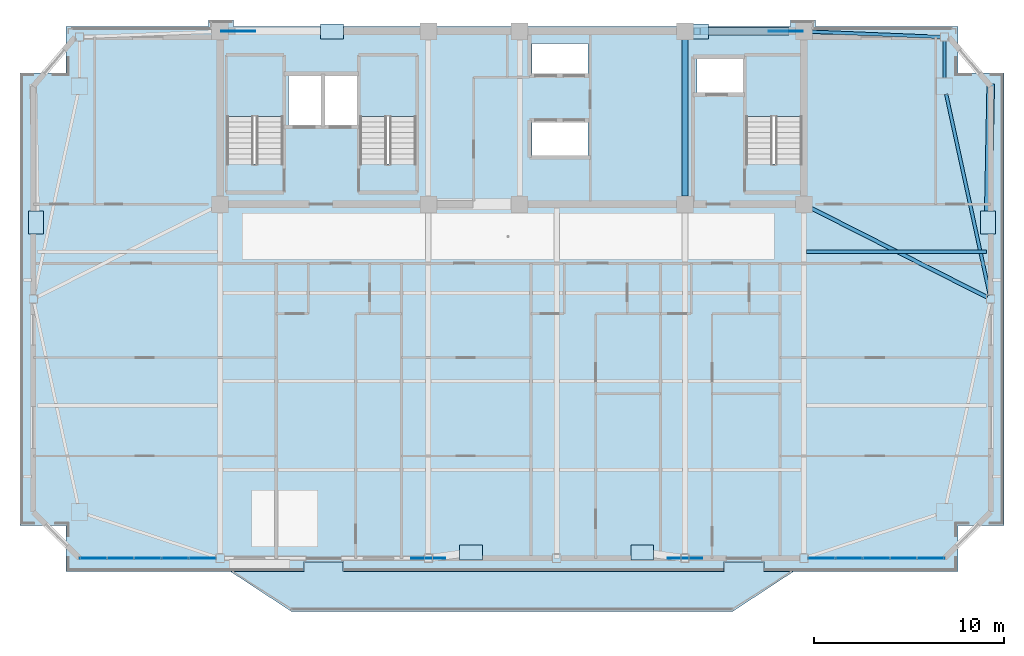
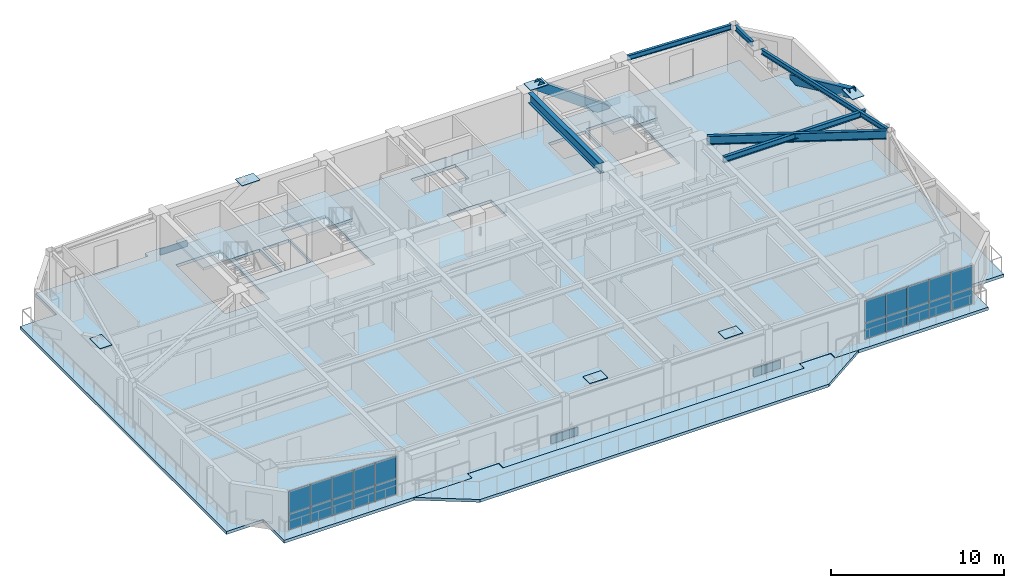
# One storey, part 6 of 15: 30 plates, 6 beams, 5 slabs, 2 members, 5 elements without a shape of their own.
"""IFC4 building model written with IfcOpenShell, lengths in metres."""

from ifc_helpers import new_model, si_unit, direction, frame, origin, origin_2d, place, context, subcontext, project, spatial, polyline, rectangle, hollow_rectangle, i_section, outline, extrude, source, transform, mapped, material, layer, layer_set, material_profile, profile_set, type_object, element, aggregate, save


model = new_model("IFC4")

# Units and contexts
model_context = context("Model", 3, precision=1e-05, world=origin(), true_north=direction((0.0, 1.0)))
body_context = subcontext(model_context, "Body", "Model", "MODEL_VIEW")
ifc_project = project(units=[si_unit("LENGTHUNIT", "METRE"), si_unit("AREAUNIT", "SQUARE_METRE"), si_unit("VOLUMEUNIT", "CUBIC_METRE"), si_unit("PLANEANGLEUNIT", "RADIAN"), si_unit("MASSUNIT", "GRAM", prefix="KILO")], contexts=[model_context])

# Site, building, storey
site_placement = place(None, origin())
site = spatial("IfcSite", under=ifc_project, at=site_placement, CompositionType="ELEMENT")
building_placement = place(site_placement, origin())
building = spatial("IfcBuilding", under=site, at=building_placement, Name="Giltprow Tower", CompositionType="ELEMENT")
storey_placement = place(building_placement, frame((0.0, 0.0, 293.800048828125)))
storey = spatial("IfcBuildingStorey", under=building, at=storey_placement, Name="L75", CompositionType="ELEMENT", Elevation=293.800048828125)

# Beams
ifc_material_1 = material(Name="Structural steel Q355B", Category="steel")
ifc_material_profile_1 = material_profile(ifc_material_1, i_section(OverallWidth=0.300048828125, OverallDepth=0.699951171875, WebThickness=0.012939453125, FlangeThickness=0.02392578125, at=origin_2d()), Name="HN 700x300x13x24")
ifc_profile_set_1 = profile_set([ifc_material_profile_1], Name="Structural steel Q355B")
beam_type_1 = type_object("IfcBeamType", Name="BM-GIRD-HN700", PredefinedType="BEAM", material=ifc_profile_set_1)
shared_shape_1 = source(origin(), body_context, "Body", "SweptSolid", [
    extrude(i_section(OverallWidth=0.300048828125, OverallDepth=0.699951171875, WebThickness=0.012939453125, FlangeThickness=0.02392578125, at=origin_2d()), origin(), (0.0, 0.0, 1.0), 8.22998046875),
])
beam_1_placement = place(storey_placement, frame((44.300048828125, 37.885009765625, 2.8349609375), z_axis=(0.0, 1.0, 0.0), x_axis=(-1.0, 0.0, 0.0)))
element("IfcBeam", 1, at=beam_1_placement, inside=storey, type_object=beam_type_1, Name="L75 Core Tie Girder M3", PredefinedType="BEAM", context=body_context, shape_type="MappedRepresentation", body=[
    mapped(shared_shape_1, transform((0.0, 0.0, 0.0), x_axis=(1.0, 0.0, 0.0), y_axis=(0.0, 1.0, 0.0), z_axis=(0.0, 0.0, 1.0), scale=1.0)),
])
ifc_material_profile_2 = material_profile(ifc_material_1, i_section(OverallWidth=0.175048828125, OverallDepth=0.35009765625, WebThickness=0.007080078125, FlangeThickness=0.010986328125, at=origin_2d()), Name="HN 350x175x7x11")
ifc_profile_set_2 = profile_set([ifc_material_profile_2], Name="Structural steel Q355B")
beam_type_2 = type_object("IfcBeamType", Name="BM-SPAN-HN350", PredefinedType="SPANDREL", material=ifc_profile_set_2)
shared_shape_2 = source(origin(), body_context, "Body", "SweptSolid", [
    extrude(i_section(OverallWidth=0.175048828125, OverallDepth=0.35009765625, WebThickness=0.007080078125, FlangeThickness=0.010986328125, at=origin_2d()), origin(), (0.0, 0.0, 1.0), 10.81396484375),
])
beam_2_placement = place(storey_placement, frame((60.3310546875, 32.676025390625, 3.010009765625), z_axis=(-0.212127827706, 0.977241927423, 0.0), x_axis=(-0.977241927423, -0.212127827706, 0.0)))
element("IfcBeam", 2, at=beam_2_placement, inside=storey, type_object=beam_type_2, Name="L75 Perimeter Spandrel Beam E_MID-MC_NE", PredefinedType="SPANDREL", context=body_context, shape_type="MappedRepresentation", body=[
    mapped(shared_shape_2, transform((0.0, 0.0, 0.0), x_axis=(1.0, 0.0, 0.0), y_axis=(0.0, 1.0, 0.0), z_axis=(0.0, 0.0, 1.0), scale=1.0)),
])
shared_shape_3 = source(origin(), body_context, "Body", "SweptSolid", [
    extrude(i_section(OverallWidth=0.175048828125, OverallDepth=0.35009765625, WebThickness=0.007080078125, FlangeThickness=0.010986328125, at=origin_2d()), origin(), (0.0, 0.0, 1.0), 1.93603515625),
])
beam_3_placement = place(storey_placement, frame((57.945068359375, 44.10400390625, 3.010009765625), z_axis=(0.0, 1.0, 0.0), x_axis=(-1.0, 0.0, 0.0)))
element("IfcBeam", 3, at=beam_3_placement, inside=storey, type_object=beam_type_2, Name="L75 Perimeter Spandrel Beam MC_NE-N_E", PredefinedType="SPANDREL", context=body_context, shape_type="MappedRepresentation", body=[
    mapped(shared_shape_3, transform((0.0, 0.0, 0.0), x_axis=(1.0, 0.0, 0.0), y_axis=(0.0, 1.0, 0.0), z_axis=(0.0, 0.0, 1.0), scale=1.0)),
])
shared_shape_4 = source(origin(), body_context, "Body", "SweptSolid", [
    extrude(i_section(OverallWidth=0.175048828125, OverallDepth=0.35009765625, WebThickness=0.007080078125, FlangeThickness=0.010986328125, at=origin_2d()), origin(), (0.0, 0.0, 1.0), 6.755615234375),
])
beam_4_placement = place(storey_placement, frame((50.985107421875, 46.531982421875, 3.010009765625), z_axis=(0.99918342897, -0.040403901678, 0.0), x_axis=(0.040403901678, 0.99918342897, 0.0)))
element("IfcBeam", 4, at=beam_4_placement, inside=storey, type_object=beam_type_2, Name="L75 North Wing Spandrel E", PredefinedType="SPANDREL", context=body_context, shape_type="MappedRepresentation", body=[
    mapped(shared_shape_4, transform((0.0, 0.0, 0.0), x_axis=(1.0, 0.0, 0.0), y_axis=(0.0, 1.0, 0.0), z_axis=(0.0, 0.0, 1.0), scale=1.0)),
])
ifc_material_profile_3 = material_profile(ifc_material_1, i_section(OverallWidth=0.199951171875, OverallDepth=0.60009765625, WebThickness=0.010986328125, FlangeThickness=0.01708984375, at=origin_2d()), Name="HN 600x200x11x17")
ifc_profile_set_3 = profile_set([ifc_material_profile_3], Name="Structural steel Q355B")
beam_type_3 = type_object("IfcBeamType", Name="BM-GIRD-HN600", PredefinedType="BEAM", material=ifc_profile_set_3)
shared_shape_5 = source(origin(), body_context, "Body", "SweptSolid", [
    extrude(i_section(OverallWidth=0.199951171875, OverallDepth=0.60009765625, WebThickness=0.010986328125, FlangeThickness=0.01708984375, at=origin_2d()), origin(), (0.0, 0.0, 1.0), 10.37060546875),
])
beam_5_placement = place(storey_placement, frame((60.18896484375, 32.56591796875, 2.885009765625), z_axis=(-0.89204159727, 0.451953303716, 0.0), x_axis=(-0.451953303716, -0.89204159727, 0.0)))
element("IfcBeam", 5, at=beam_5_placement, inside=storey, type_object=beam_type_3, Name="L75 East Wing Primary Girder", PredefinedType="BEAM", context=body_context, shape_type="MappedRepresentation", body=[
    mapped(shared_shape_5, transform((0.0, 0.0, 0.0), x_axis=(1.0, 0.0, 0.0), y_axis=(0.0, 1.0, 0.0), z_axis=(0.0, 0.0, 1.0), scale=1.0)),
])
ifc_material_profile_4 = material_profile(ifc_material_1, i_section(OverallWidth=0.199951171875, OverallDepth=0.39990234375, WebThickness=0.008056640625, FlangeThickness=0.012939453125, at=origin_2d()), Name="HN 400x200x8x13")
ifc_profile_set_4 = profile_set([ifc_material_profile_4], Name="Structural steel Q355B")
beam_type_4 = type_object("IfcBeamType", Name="BM-JOIST-HN400", PredefinedType="JOIST", material=ifc_profile_set_4)
shared_shape_6 = source(origin(), body_context, "Body", "SweptSolid", [
    extrude(i_section(OverallWidth=0.199951171875, OverallDepth=0.39990234375, WebThickness=0.008056640625, FlangeThickness=0.012939453125, at=origin_2d()), origin(), (0.0, 0.0, 1.0), 9.4609375),
])
beam_6_placement = place(storey_placement, frame((50.695068359375, 34.9599609375, 2.98486328125), z_axis=(1.0, 0.0, 0.0), x_axis=(0.0, 1.0, 0.0)))
element("IfcBeam", 6, at=beam_6_placement, inside=storey, type_object=beam_type_4, Name="L75 East Wing Floor Joist 2", PredefinedType="JOIST", context=body_context, shape_type="MappedRepresentation", body=[
    mapped(shared_shape_6, transform((0.0, 0.0, 0.0), x_axis=(1.0, 0.0, 0.0), y_axis=(0.0, 1.0, 0.0), z_axis=(0.0, 0.0, 1.0), scale=1.0)),
])

# Members
ifc_material_2 = material(Name="Structural steel Q420GJC", Category="steel")
ifc_material_profile_5 = material_profile(ifc_material_2, hollow_rectangle(XDim=0.39990234375, YDim=0.60009765625, WallThickness=0.028076171875, at=origin_2d()), Name="RHS 600x400x28")
ifc_profile_set_5 = profile_set([ifc_material_profile_5], Name="Structural steel Q420GJC")
member_type = type_object("IfcMemberType", Name="MBR-MEGA-RHS600", PredefinedType="BRACE", material=ifc_profile_set_5)
shared_shape_7 = source(origin(), body_context, "Body", "SweptSolid", [
    extrude(hollow_rectangle(XDim=0.39990234375, YDim=0.60009765625, WallThickness=0.028076171875, at=origin_2d()), origin(), (0.0, 0.0, 1.0), 5.774169921875),
])
member_1_placement = place(storey_placement, frame((49.60009765625, 46.550048828125, -0.14013671875), z_axis=(-0.808243970451, 0.0, 0.588847759807), x_axis=(0.0, -1.0, 0.0)))
element("IfcMember", 7, at=member_1_placement, inside=storey, type_object=member_type, Name="L75 Chevron Mega-Brace N-R", PredefinedType="BRACE", context=body_context, shape_type="MappedRepresentation", body=[
    mapped(shared_shape_7, transform((0.0, 0.0, 0.0), x_axis=(1.0, 0.0, 0.0), y_axis=(0.0, 1.0, 0.0), z_axis=(0.0, 0.0, 1.0), scale=1.0)),
])
shared_shape_8 = source(origin(), body_context, "Body", "SweptSolid", [
    extrude(hollow_rectangle(XDim=0.39990234375, YDim=0.60009765625, WallThickness=0.028076171875, at=origin_2d()), origin(), (0.0, 0.0, 1.0), 7.937255859375),
])
member_2_placement = place(storey_placement, frame((60.3759765625, 43.6689453125, 0.0), z_axis=(-0.017501714817, -0.903445285786, 0.428346011502), x_axis=(0.999812411901, -0.01936855721, 0.0)))
element("IfcMember", 8, at=member_2_placement, inside=storey, type_object=member_type, Name="L75 Chevron Mega-Brace E-D", PredefinedType="BRACE", context=body_context, shape_type="MappedRepresentation", body=[
    mapped(shared_shape_8, transform((0.0, 0.0, 0.0), x_axis=(1.0, 0.0, 0.0), y_axis=(0.0, 1.0, 0.0), z_axis=(0.0, 0.0, 1.0), scale=1.0)),
])

# Slabs
ifc_material_3 = material(Name="Concrete C40", Category="concrete")
ifc_layer_1 = layer(ifc_material_3, 0.199951171875, Name="Concrete C40")
ifc_layer_set_1 = layer_set([ifc_layer_1], Name="Concrete C40")
slab_type_1 = type_object("IfcSlabType", Name="SLB-BALC-BRONZE-200", PredefinedType="FLOOR", material=ifc_layer_set_1)
slab_1_placement = place(storey_placement, frame((0.0, 0.0, -0.199951171875)))
element("IfcSlab", 9, at=slab_1_placement, inside=storey, type_object=slab_type_1, Name="L75 Bronze Prow Waterfront Balcony Slab", PredefinedType="FLOOR", context=body_context, shape_type="SweptSolid", body=[
    extrude(outline(polyline([(50.0, 18.14111328125), (46.800048828125, 16.041015625), (23.60009765625, 16.041015625), (20.39990234375, 18.14111328125), (24.280029296875, 18.14111328125), (24.280029296875, 18.64111328125), (26.320068359375, 18.64111328125), (26.320068359375, 18.14111328125), (46.3798828125, 18.14111328125), (46.3798828125, 18.64111328125), (48.419921875, 18.64111328125), (48.419921875, 18.14111328125), (50.0, 18.14111328125)])), origin(), (0.0, 0.0, 1.0), 0.199951171875),
])
ifc_layer_2 = layer(ifc_material_3, 0.215087890625, Name="Concrete C40")
ifc_layer_set_2 = layer_set([ifc_layer_2], Name="Concrete C40")
slab_type_2 = type_object("IfcSlabType", Name="SLB-RES-215", PredefinedType="FLOOR", material=ifc_layer_set_2)
slab_2_placement = place(storey_placement, frame((0.0, 0.0, -0.215087890625)))
element("IfcSlab", 10, at=slab_2_placement, inside=storey, type_object=slab_type_2, Name="L75 Structural Composite Floor Slab", PredefinedType="FLOOR", context=body_context, shape_type="SweptSolid", body=[
    extrude(outline(polyline([(61.075927734375, 44.3701171875), (61.075927734375, 20.572021484375), (58.64501953125, 20.572021484375), (58.64501953125, 18.14111328125), (48.449951171875, 18.14111328125), (48.449951171875, 18.660888671875), (46.35009765625, 18.660888671875), (46.35009765625, 18.14111328125), (26.35009765625, 18.14111328125), (26.35009765625, 18.660888671875), (24.25, 18.660888671875), (24.25, 18.14111328125), (11.7548828125, 18.14111328125), (11.7548828125, 20.572021484375), (9.323974609375, 20.572021484375), (9.323974609375, 44.3701171875), (11.7548828125, 44.3701171875), (11.7548828125, 46.800048828125), (19.25, 46.800048828125), (19.25, 47.14990234375), (20.550048828125, 47.14990234375), (20.550048828125, 46.800048828125), (49.85009765625, 46.800048828125), (49.85009765625, 47.14990234375), (51.14990234375, 47.14990234375), (51.14990234375, 46.800048828125), (58.64501953125, 46.800048828125), (58.64501953125, 44.3701171875), (61.075927734375, 44.3701171875)]), holes=[polyline([(39.18994140625, 41.800048828125), (36.239990234375, 41.800048828125), (36.239990234375, 40.0), (39.18994140625, 40.0), (39.18994140625, 41.800048828125)]), polyline([(23.159912109375, 39.570068359375), (23.159912109375, 45.25), (20.199951171875, 45.25), (20.199951171875, 39.570068359375), (23.159912109375, 39.570068359375)]), polyline([(30.159912109375, 39.570068359375), (30.159912109375, 45.25), (27.199951171875, 45.25), (27.199951171875, 39.570068359375), (30.159912109375, 39.570068359375)]), polyline([(50.4599609375, 45.25), (47.5, 45.25), (47.5, 39.570068359375), (50.4599609375, 39.570068359375), (50.4599609375, 45.25)]), polyline([(25.169921875, 44.199951171875), (23.449951171875, 44.199951171875), (23.449951171875, 41.60009765625), (25.169921875, 41.60009765625), (25.169921875, 44.199951171875)]), polyline([(27.10009765625, 44.199951171875), (25.35009765625, 44.199951171875), (25.35009765625, 41.60009765625), (27.10009765625, 41.60009765625), (27.10009765625, 44.199951171875)]), polyline([(47.3798828125, 43.300048828125), (47.3798828125, 45.10009765625), (44.919921875, 45.10009765625), (44.919921875, 43.300048828125), (47.3798828125, 43.300048828125)]), polyline([(39.18994140625, 44.300048828125), (39.18994140625, 45.919921875), (36.239990234375, 45.919921875), (36.239990234375, 44.300048828125), (39.18994140625, 44.300048828125)])]), origin(), (0.0, 0.0, 1.0), 0.215087890625),
])

# Stair, slab
stair_type_1 = type_object("IfcStairType", Name="STR-ST-1", PredefinedType="HALF_TURN_STAIR", material=ifc_material_3)
stair_1_placement = place(storey_placement, origin())
stair_1 = element("IfcStair", 11, at=stair_1_placement, inside=storey, type_object=stair_type_1, Name="L75 Core Exit Stair ST-1", PredefinedType="HALF_TURN_STAIR")
ifc_layer_3 = layer(ifc_material_3, 0.179931640625, Name="Concrete C40")
ifc_layer_set_3 = layer_set([ifc_layer_3], Name="Concrete C40")
slab_type_3 = type_object("IfcSlabType", Name="SLD-ST-1", PredefinedType="LANDING", material=ifc_layer_set_3)
slab_3_placement = place(storey_placement, frame((0.0, 0.0, 1.52001953125)))
slab_3 = element("IfcSlab", 12, at=slab_3_placement, type_object=slab_type_3, Name="ST-1 landing 1", PredefinedType="LANDING", context=body_context, shape_type="SweptSolid", body=[
    extrude(outline(polyline([(23.159912109375, 42.070068359375), (23.159912109375, 45.25), (20.199951171875, 45.25), (20.199951171875, 42.070068359375), (23.159912109375, 42.070068359375)])), origin(), (0.0, 0.0, 1.0), 0.179931640625),
])
aggregate(stair_1, [slab_3])

stair_type_2 = type_object("IfcStairType", Name="STR-ST-2", PredefinedType="HALF_TURN_STAIR", material=ifc_material_3)
stair_2_placement = place(storey_placement, origin())
stair_2 = element("IfcStair", 13, at=stair_2_placement, inside=storey, type_object=stair_type_2, Name="L75 Core Exit Stair ST-2", PredefinedType="HALF_TURN_STAIR")
ifc_layer_4 = layer(ifc_material_3, 0.18798828125, Name="Concrete C40")
ifc_layer_set_4 = layer_set([ifc_layer_4], Name="Concrete C40")
slab_type_4 = type_object("IfcSlabType", Name="SLD-ST-2", PredefinedType="LANDING", material=ifc_layer_set_4)
slab_4_placement = place(storey_placement, frame((0.0, 0.0, 1.511962890625)))
slab_4 = element("IfcSlab", 14, at=slab_4_placement, type_object=slab_type_4, Name="ST-2 landing 1", PredefinedType="LANDING", context=body_context, shape_type="SweptSolid", body=[
    extrude(outline(polyline([(30.159912109375, 42.070068359375), (30.159912109375, 45.25), (27.199951171875, 45.25), (27.199951171875, 42.070068359375), (30.159912109375, 42.070068359375)])), origin(), (0.0, 0.0, 1.0), 0.18798828125),
])
aggregate(stair_2, [slab_4])

stair_type_3 = type_object("IfcStairType", Name="STR-ST-3", PredefinedType="HALF_TURN_STAIR", material=ifc_material_3)
stair_3_placement = place(storey_placement, origin())
stair_3 = element("IfcStair", 15, at=stair_3_placement, inside=storey, type_object=stair_type_3, Name="L75 Core Exit Stair ST-3", PredefinedType="HALF_TURN_STAIR")
ifc_layer_5 = layer(ifc_material_3, 0.196044921875, Name="Concrete C40")
ifc_layer_set_5 = layer_set([ifc_layer_5], Name="Concrete C40")
slab_type_5 = type_object("IfcSlabType", Name="SLD-ST-3", PredefinedType="LANDING", material=ifc_layer_set_5)
slab_5_placement = place(storey_placement, frame((0.0, 0.0, 1.50390625)))
slab_5 = element("IfcSlab", 16, at=slab_5_placement, type_object=slab_type_5, Name="ST-3 landing 1", PredefinedType="LANDING", context=body_context, shape_type="SweptSolid", body=[
    extrude(outline(polyline([(50.4599609375, 42.070068359375), (50.4599609375, 45.25), (47.5, 45.25), (47.5, 42.070068359375), (50.4599609375, 42.070068359375)])), origin(), (0.0, 0.0, 1.0), 0.196044921875),
])
aggregate(stair_3, [slab_5])

# Plates
plate_type_1 = type_object("IfcPlateType", Name="PLT-NODE-MBN1", PredefinedType="USERDEFINED", material=ifc_material_2)
shared_shape_9 = source(origin(), body_context, "Body", "SweptSolid", [
    extrude(rectangle(XDim=1.800048828125, YDim=0.050048828125, at=origin_2d()), origin(), (0.0, 0.0, 1.0), 1.14990234375),
])
for number, where, z_axis, x_axis, name in (
    (17, (30.800048828125, 18.841064453125, -0.574951171875), (0.0, 0.0, 1.0), (1.0, 0.0, 0.0), "Mega-Brace Node L75-S-LA"),
    (18, (44.300048828125, 18.841064453125, -0.574951171875), (0.0, 0.0, 1.0), (1.0, 0.0, 0.0), "Mega-Brace Node L75-S-RA"),
    (19, (20.800048828125, 46.550048828125, -0.715087890625), (0.0, 0.0, 1.0), (1.0, 0.0, 0.0), "Mega-Brace Node L75-N-LA"),
    (20, (49.60009765625, 46.550048828125, -0.715087890625), (0.0, 0.0, 1.0), (1.0, 0.0, 0.0), "Mega-Brace Node L75-N-RA"),
):
    element("IfcPlate", number, at=place(storey_placement, frame(where, z_axis=z_axis, x_axis=x_axis)), inside=storey, type_object=plate_type_1, Name=name, ObjectType="GUSSET", PredefinedType="USERDEFINED", context=body_context, shape_type="MappedRepresentation", body=[
        mapped(shared_shape_9, transform((0.0, 0.0, 0.0), x_axis=(1.0, 0.0, 0.0), y_axis=(0.0, 1.0, 0.0), z_axis=(0.0, 0.0, 1.0), scale=1.0)),
    ])
plate_type_2 = type_object("IfcPlateType", Name="PLT-CAP-SEAL", PredefinedType="USERDEFINED", material=ifc_material_2)
shared_shape_10 = source(origin(), body_context, "Body", "SweptSolid", [
    extrude(rectangle(XDim=1.199951171875, YDim=0.800048828125, at=origin_2d()), origin(), (0.0, 0.0, 1.0), 0.034912109375),
])
for number, where, z_axis, x_axis, name in (
    (21, (33.050048828125, 19.15087890625, 3.38232421875), (0.0, 0.0, 1.0), (1.0, 0.0, 0.0), "Mega-Brace Node L75-S-LB"),
    (22, (42.050048828125, 19.15087890625, 3.38232421875), (0.0, 0.0, 1.0), (1.0, 0.0, 0.0), "Mega-Brace Node L75-S-RB"),
    (23, (25.73291015625, 46.550048828125, 3.24267578125), (0.0, 0.0, 1.0), (1.0, 0.0, 0.0), "Mega-Brace Node L75-N-LB"),
    (24, (44.93310546875, 46.550048828125, 3.24267578125), (0.0, 0.0, 1.0), (1.0, 0.0, 0.0), "Mega-Brace Node L75-N-RB"),
    (25, (10.1630859375, 36.498046875, 3.38232421875), (0.0, 0.0, 1.0), (0.0, 1.0, 0.0), "Mega-Brace Node L75-W-DB"),
    (26, (60.237060546875, 36.498046875, 3.38232421875), (0.0, 0.0, 1.0), (0.0, 1.0, 0.0), "Mega-Brace Node L75-E-DB"),
):
    element("IfcPlate", number, at=place(storey_placement, frame(where, z_axis=z_axis, x_axis=x_axis)), inside=storey, type_object=plate_type_2, Name=name, ObjectType="SPLICE", PredefinedType="USERDEFINED", context=body_context, shape_type="MappedRepresentation", body=[
        mapped(shared_shape_10, transform((0.0, 0.0, 0.0), x_axis=(1.0, 0.0, 0.0), y_axis=(0.0, 1.0, 0.0), z_axis=(0.0, 0.0, 1.0), scale=1.0)),
    ])

# Curtain wall, plates
ifc_material_4 = material(Name="Anodized bronze", Category="metal")
ifc_layer_6 = layer(ifc_material_4, 0.179931640625, Name="Anodized bronze")
ifc_layer_set_6 = layer_set([ifc_layer_6], Name="Anodized bronze")
curtain_wall_type = type_object("IfcCurtainWallType", Name="CW-RES-SKY", PredefinedType="NOTDEFINED", material=ifc_layer_set_6)
curtain_wall_1_placement = place(storey_placement, origin())
curtain_wall_1 = element("IfcCurtainWall", 27, at=curtain_wall_1_placement, inside=storey, type_object=curtain_wall_type, Name="L75 South Recessed Curtain Wall 1", PredefinedType="NOTDEFINED")
ifc_material_5 = material(Name="Insulated glass", Category="glass")
plate_type_3 = type_object("IfcPlateType", Name="CW-PANEL-IGU-28", PredefinedType="CURTAIN_PANEL", material=ifc_material_5)
shared_shape_11 = source(origin(), body_context, "Body", "SweptSolid", [
    extrude(rectangle(XDim=1.404052734375, YDim=0.028076171875, at=origin_2d()), origin(), (0.0, 0.0, 1.0), 1.114013671875),
])
plate_1_placement = place(storey_placement, frame((13.172119140625, 18.841064453125, 0.0537109375), z_axis=(0.0, 0.0, 1.0), x_axis=(1.0, 0.0, 0.0)))
plate_1 = element("IfcPlate", 28, at=plate_1_placement, type_object=plate_type_3, Name="L75 South Recessed Curtain Wall 1 Glazing Panel 1-1", PredefinedType="CURTAIN_PANEL", context=body_context, shape_type="MappedRepresentation", body=[
    mapped(shared_shape_11, transform((0.0, 0.0, 0.0), x_axis=(1.0, 0.0, 0.0), y_axis=(0.0, 1.0, 0.0), z_axis=(0.0, 0.0, 1.0), scale=1.0)),
])
plate_2_placement = place(storey_placement, frame((14.60595703125, 18.841064453125, 0.0537109375), z_axis=(0.0, 0.0, 1.0), x_axis=(1.0, 0.0, 0.0)))
plate_2 = element("IfcPlate", 29, at=plate_2_placement, type_object=plate_type_3, Name="L75 South Recessed Curtain Wall 1 Glazing Panel 2-1", PredefinedType="CURTAIN_PANEL", context=body_context, shape_type="MappedRepresentation", body=[
    mapped(shared_shape_11, transform((0.0, 0.0, 0.0), x_axis=(1.0, 0.0, 0.0), y_axis=(0.0, 1.0, 0.0), z_axis=(0.0, 0.0, 1.0), scale=1.0)),
])
plate_3_placement = place(storey_placement, frame((16.0400390625, 18.841064453125, 0.0537109375), z_axis=(0.0, 0.0, 1.0), x_axis=(1.0, 0.0, 0.0)))
plate_3 = element("IfcPlate", 30, at=plate_3_placement, type_object=plate_type_3, Name="L75 South Recessed Curtain Wall 1 Glazing Panel 3-1", PredefinedType="CURTAIN_PANEL", context=body_context, shape_type="MappedRepresentation", body=[
    mapped(shared_shape_11, transform((0.0, 0.0, 0.0), x_axis=(1.0, 0.0, 0.0), y_axis=(0.0, 1.0, 0.0), z_axis=(0.0, 0.0, 1.0), scale=1.0)),
])
plate_4_placement = place(storey_placement, frame((17.47412109375, 18.841064453125, 0.0537109375), z_axis=(0.0, 0.0, 1.0), x_axis=(1.0, 0.0, 0.0)))
plate_4 = element("IfcPlate", 31, at=plate_4_placement, type_object=plate_type_3, Name="L75 South Recessed Curtain Wall 1 Glazing Panel 4-1", PredefinedType="CURTAIN_PANEL", context=body_context, shape_type="MappedRepresentation", body=[
    mapped(shared_shape_11, transform((0.0, 0.0, 0.0), x_axis=(1.0, 0.0, 0.0), y_axis=(0.0, 1.0, 0.0), z_axis=(0.0, 0.0, 1.0), scale=1.0)),
])
plate_5_placement = place(storey_placement, frame((18.907958984375, 18.841064453125, 0.0537109375), z_axis=(0.0, 0.0, 1.0), x_axis=(1.0, 0.0, 0.0)))
plate_5 = element("IfcPlate", 32, at=plate_5_placement, type_object=plate_type_3, Name="L75 South Recessed Curtain Wall 1 Glazing Panel 5-1", PredefinedType="CURTAIN_PANEL", context=body_context, shape_type="MappedRepresentation", body=[
    mapped(shared_shape_11, transform((0.0, 0.0, 0.0), x_axis=(1.0, 0.0, 0.0), y_axis=(0.0, 1.0, 0.0), z_axis=(0.0, 0.0, 1.0), scale=1.0)),
])

curtain_wall_2_placement = place(storey_placement, origin())
curtain_wall_2 = element("IfcCurtainWall", 33, at=curtain_wall_2_placement, inside=storey, type_object=curtain_wall_type, Name="L75 South Recessed Curtain Wall 6", PredefinedType="NOTDEFINED")
plate_6_placement = place(storey_placement, frame((51.491943359375, 18.841064453125, 0.0537109375), z_axis=(0.0, 0.0, 1.0), x_axis=(1.0, 0.0, 0.0)))
plate_6 = element("IfcPlate", 34, at=plate_6_placement, type_object=plate_type_3, Name="L75 South Recessed Curtain Wall 6 Glazing Panel 1-1", PredefinedType="CURTAIN_PANEL", context=body_context, shape_type="MappedRepresentation", body=[
    mapped(shared_shape_11, transform((0.0, 0.0, 0.0), x_axis=(1.0, 0.0, 0.0), y_axis=(0.0, 1.0, 0.0), z_axis=(0.0, 0.0, 1.0), scale=1.0)),
])
plate_7_placement = place(storey_placement, frame((52.926025390625, 18.841064453125, 0.0537109375), z_axis=(0.0, 0.0, 1.0), x_axis=(1.0, 0.0, 0.0)))
plate_7 = element("IfcPlate", 35, at=plate_7_placement, type_object=plate_type_3, Name="L75 South Recessed Curtain Wall 6 Glazing Panel 2-1", PredefinedType="CURTAIN_PANEL", context=body_context, shape_type="MappedRepresentation", body=[
    mapped(shared_shape_11, transform((0.0, 0.0, 0.0), x_axis=(1.0, 0.0, 0.0), y_axis=(0.0, 1.0, 0.0), z_axis=(0.0, 0.0, 1.0), scale=1.0)),
])
plate_8_placement = place(storey_placement, frame((54.360107421875, 18.841064453125, 0.0537109375), z_axis=(0.0, 0.0, 1.0), x_axis=(1.0, 0.0, 0.0)))
plate_8 = element("IfcPlate", 36, at=plate_8_placement, type_object=plate_type_3, Name="L75 South Recessed Curtain Wall 6 Glazing Panel 3-1", PredefinedType="CURTAIN_PANEL", context=body_context, shape_type="MappedRepresentation", body=[
    mapped(shared_shape_11, transform((0.0, 0.0, 0.0), x_axis=(1.0, 0.0, 0.0), y_axis=(0.0, 1.0, 0.0), z_axis=(0.0, 0.0, 1.0), scale=1.0)),
])
plate_9_placement = place(storey_placement, frame((55.7939453125, 18.841064453125, 0.0537109375), z_axis=(0.0, 0.0, 1.0), x_axis=(1.0, 0.0, 0.0)))
plate_9 = element("IfcPlate", 37, at=plate_9_placement, type_object=plate_type_3, Name="L75 South Recessed Curtain Wall 6 Glazing Panel 4-1", PredefinedType="CURTAIN_PANEL", context=body_context, shape_type="MappedRepresentation", body=[
    mapped(shared_shape_11, transform((0.0, 0.0, 0.0), x_axis=(1.0, 0.0, 0.0), y_axis=(0.0, 1.0, 0.0), z_axis=(0.0, 0.0, 1.0), scale=1.0)),
])
plate_10_placement = place(storey_placement, frame((57.22802734375, 18.841064453125, 0.0537109375), z_axis=(0.0, 0.0, 1.0), x_axis=(1.0, 0.0, 0.0)))
plate_10 = element("IfcPlate", 38, at=plate_10_placement, type_object=plate_type_3, Name="L75 South Recessed Curtain Wall 6 Glazing Panel 5-1", PredefinedType="CURTAIN_PANEL", context=body_context, shape_type="MappedRepresentation", body=[
    mapped(shared_shape_11, transform((0.0, 0.0, 0.0), x_axis=(1.0, 0.0, 0.0), y_axis=(0.0, 1.0, 0.0), z_axis=(0.0, 0.0, 1.0), scale=1.0)),
])

# Plate
shared_shape_12 = source(origin(), body_context, "Body", "SweptSolid", [
    extrude(rectangle(XDim=1.404052734375, YDim=0.028076171875, at=origin_2d()), origin(), (0.0, 0.0, 1.0), 1.56494140625),
])
plate_11_placement = place(storey_placement, frame((13.172119140625, 18.841064453125, 1.196533203125), z_axis=(0.0, 0.0, 1.0), x_axis=(1.0, 0.0, 0.0)))
plate_11 = element("IfcPlate", 39, at=plate_11_placement, type_object=plate_type_3, Name="L75 South Recessed Curtain Wall 1 Glazing Panel 1-2", PredefinedType="CURTAIN_PANEL", context=body_context, shape_type="MappedRepresentation", body=[
    mapped(shared_shape_12, transform((0.0, 0.0, 0.0), x_axis=(1.0, 0.0, 0.0), y_axis=(0.0, 1.0, 0.0), z_axis=(0.0, 0.0, 1.0), scale=1.0)),
])

plate_12_placement = place(storey_placement, frame((14.60595703125, 18.841064453125, 1.196533203125), z_axis=(0.0, 0.0, 1.0), x_axis=(1.0, 0.0, 0.0)))
plate_12 = element("IfcPlate", 40, at=plate_12_placement, type_object=plate_type_3, Name="L75 South Recessed Curtain Wall 1 Glazing Panel 2-2", PredefinedType="CURTAIN_PANEL", context=body_context, shape_type="MappedRepresentation", body=[
    mapped(shared_shape_12, transform((0.0, 0.0, 0.0), x_axis=(1.0, 0.0, 0.0), y_axis=(0.0, 1.0, 0.0), z_axis=(0.0, 0.0, 1.0), scale=1.0)),
])

plate_13_placement = place(storey_placement, frame((16.0400390625, 18.841064453125, 1.196533203125), z_axis=(0.0, 0.0, 1.0), x_axis=(1.0, 0.0, 0.0)))
plate_13 = element("IfcPlate", 41, at=plate_13_placement, type_object=plate_type_3, Name="L75 South Recessed Curtain Wall 1 Glazing Panel 3-2", PredefinedType="CURTAIN_PANEL", context=body_context, shape_type="MappedRepresentation", body=[
    mapped(shared_shape_12, transform((0.0, 0.0, 0.0), x_axis=(1.0, 0.0, 0.0), y_axis=(0.0, 1.0, 0.0), z_axis=(0.0, 0.0, 1.0), scale=1.0)),
])

plate_14_placement = place(storey_placement, frame((17.47412109375, 18.841064453125, 1.196533203125), z_axis=(0.0, 0.0, 1.0), x_axis=(1.0, 0.0, 0.0)))
plate_14 = element("IfcPlate", 42, at=plate_14_placement, type_object=plate_type_3, Name="L75 South Recessed Curtain Wall 1 Glazing Panel 4-2", PredefinedType="CURTAIN_PANEL", context=body_context, shape_type="MappedRepresentation", body=[
    mapped(shared_shape_12, transform((0.0, 0.0, 0.0), x_axis=(1.0, 0.0, 0.0), y_axis=(0.0, 1.0, 0.0), z_axis=(0.0, 0.0, 1.0), scale=1.0)),
])

plate_15_placement = place(storey_placement, frame((18.907958984375, 18.841064453125, 1.196533203125), z_axis=(0.0, 0.0, 1.0), x_axis=(1.0, 0.0, 0.0)))
plate_15 = element("IfcPlate", 43, at=plate_15_placement, type_object=plate_type_3, Name="L75 South Recessed Curtain Wall 1 Glazing Panel 5-2", PredefinedType="CURTAIN_PANEL", context=body_context, shape_type="MappedRepresentation", body=[
    mapped(shared_shape_12, transform((0.0, 0.0, 0.0), x_axis=(1.0, 0.0, 0.0), y_axis=(0.0, 1.0, 0.0), z_axis=(0.0, 0.0, 1.0), scale=1.0)),
])

aggregate(curtain_wall_1, [plate_1, plate_11, plate_2, plate_12, plate_3, plate_13, plate_4, plate_14, plate_5, plate_15])

plate_16_placement = place(storey_placement, frame((51.491943359375, 18.841064453125, 1.196533203125), z_axis=(0.0, 0.0, 1.0), x_axis=(1.0, 0.0, 0.0)))
plate_16 = element("IfcPlate", 44, at=plate_16_placement, type_object=plate_type_3, Name="L75 South Recessed Curtain Wall 6 Glazing Panel 1-2", PredefinedType="CURTAIN_PANEL", context=body_context, shape_type="MappedRepresentation", body=[
    mapped(shared_shape_12, transform((0.0, 0.0, 0.0), x_axis=(1.0, 0.0, 0.0), y_axis=(0.0, 1.0, 0.0), z_axis=(0.0, 0.0, 1.0), scale=1.0)),
])

plate_17_placement = place(storey_placement, frame((52.926025390625, 18.841064453125, 1.196533203125), z_axis=(0.0, 0.0, 1.0), x_axis=(1.0, 0.0, 0.0)))
plate_17 = element("IfcPlate", 45, at=plate_17_placement, type_object=plate_type_3, Name="L75 South Recessed Curtain Wall 6 Glazing Panel 2-2", PredefinedType="CURTAIN_PANEL", context=body_context, shape_type="MappedRepresentation", body=[
    mapped(shared_shape_12, transform((0.0, 0.0, 0.0), x_axis=(1.0, 0.0, 0.0), y_axis=(0.0, 1.0, 0.0), z_axis=(0.0, 0.0, 1.0), scale=1.0)),
])

plate_18_placement = place(storey_placement, frame((54.360107421875, 18.841064453125, 1.196533203125), z_axis=(0.0, 0.0, 1.0), x_axis=(1.0, 0.0, 0.0)))
plate_18 = element("IfcPlate", 46, at=plate_18_placement, type_object=plate_type_3, Name="L75 South Recessed Curtain Wall 6 Glazing Panel 3-2", PredefinedType="CURTAIN_PANEL", context=body_context, shape_type="MappedRepresentation", body=[
    mapped(shared_shape_12, transform((0.0, 0.0, 0.0), x_axis=(1.0, 0.0, 0.0), y_axis=(0.0, 1.0, 0.0), z_axis=(0.0, 0.0, 1.0), scale=1.0)),
])

plate_19_placement = place(storey_placement, frame((55.7939453125, 18.841064453125, 1.196533203125), z_axis=(0.0, 0.0, 1.0), x_axis=(1.0, 0.0, 0.0)))
plate_19 = element("IfcPlate", 47, at=plate_19_placement, type_object=plate_type_3, Name="L75 South Recessed Curtain Wall 6 Glazing Panel 4-2", PredefinedType="CURTAIN_PANEL", context=body_context, shape_type="MappedRepresentation", body=[
    mapped(shared_shape_12, transform((0.0, 0.0, 0.0), x_axis=(1.0, 0.0, 0.0), y_axis=(0.0, 1.0, 0.0), z_axis=(0.0, 0.0, 1.0), scale=1.0)),
])

plate_20_placement = place(storey_placement, frame((57.22802734375, 18.841064453125, 1.196533203125), z_axis=(0.0, 0.0, 1.0), x_axis=(1.0, 0.0, 0.0)))
plate_20 = element("IfcPlate", 48, at=plate_20_placement, type_object=plate_type_3, Name="L75 South Recessed Curtain Wall 6 Glazing Panel 5-2", PredefinedType="CURTAIN_PANEL", context=body_context, shape_type="MappedRepresentation", body=[
    mapped(shared_shape_12, transform((0.0, 0.0, 0.0), x_axis=(1.0, 0.0, 0.0), y_axis=(0.0, 1.0, 0.0), z_axis=(0.0, 0.0, 1.0), scale=1.0)),
])

aggregate(curtain_wall_2, [plate_6, plate_16, plate_7, plate_17, plate_8, plate_18, plate_9, plate_19, plate_10, plate_20])

save(model, "model.ifc")
